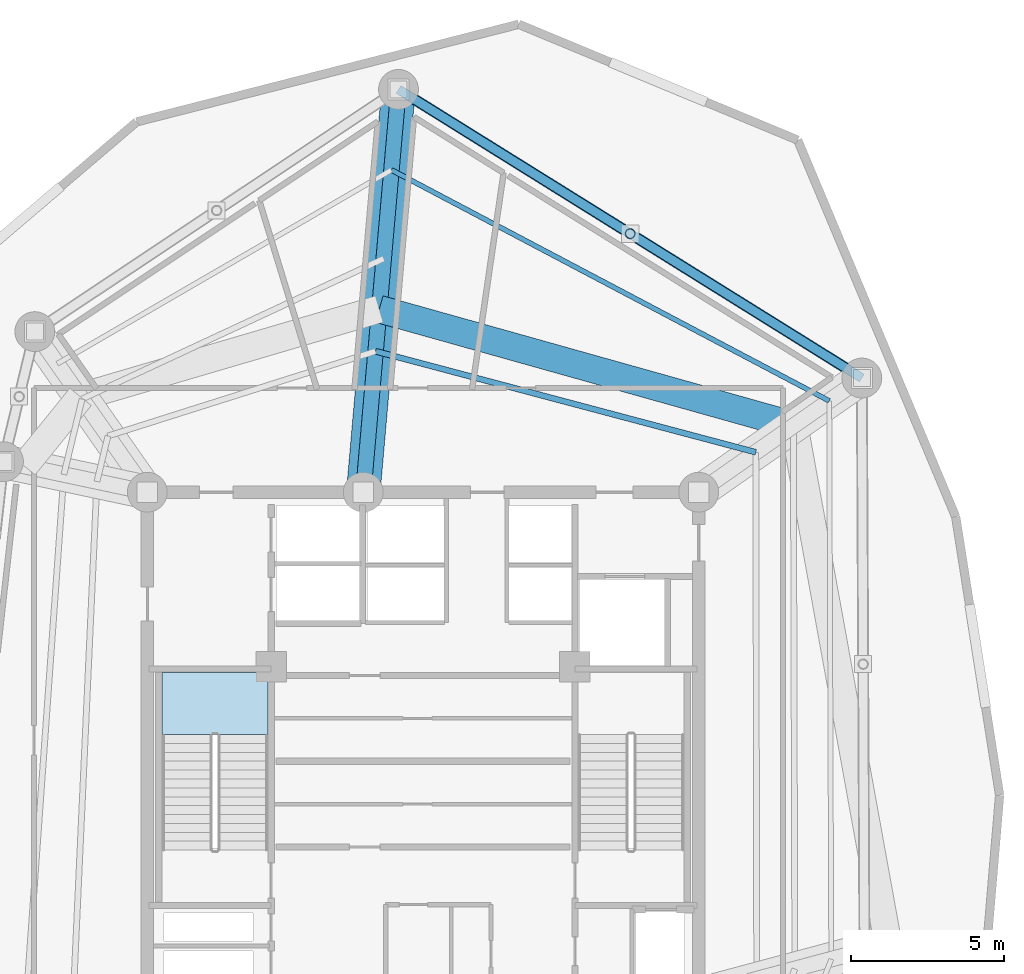
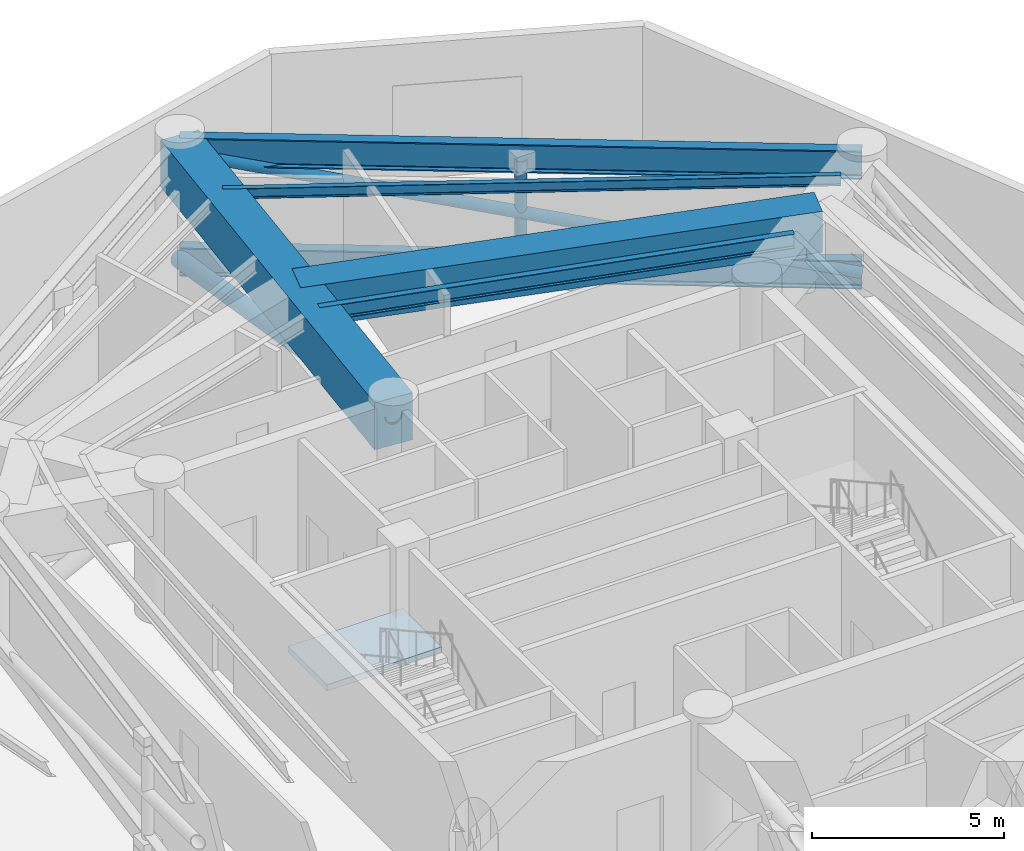
# One storey, part 4 of 11: 5 beams, 4 members, 1 slab, 1 element without a shape of its own.
"""IFC4 building model written with IfcOpenShell, lengths in metres."""

from ifc_helpers import new_model, si_unit, direction, frame, origin, origin_with_axes, origin_2d, place, context, subcontext, project, spatial, polyline, rectangle, hollow_circle, i_section, outline, extrude, source, transform, mapped, material, layer, layer_set, material_profile, profile_set, type_object, element, aggregate, save


model = new_model("IFC4")

# Units and contexts
model_context = context("Model", 3, precision=1e-05, world=origin(), true_north=direction((0.0, 1.0)))
body_context = subcontext(model_context, "Body", "Model", "MODEL_VIEW")
ifc_project = project(units=[si_unit("LENGTHUNIT", "METRE"), si_unit("AREAUNIT", "SQUARE_METRE"), si_unit("VOLUMEUNIT", "CUBIC_METRE"), si_unit("PLANEANGLEUNIT", "RADIAN"), si_unit("MASSUNIT", "GRAM", prefix="KILO")], contexts=[model_context])

# Site, building, storey
site_placement = place(None, origin())
site = spatial("IfcSite", under=ifc_project, at=site_placement, CompositionType="ELEMENT")
building_placement = place(site_placement, origin())
building = spatial("IfcBuilding", under=site, at=building_placement, Name="Karkom Vertical University and Central Library", CompositionType="ELEMENT")
storey_placement = place(building_placement, frame((0.0, 0.0, 208.39990234375)))
storey = spatial("IfcBuildingStorey", under=building, at=storey_placement, Name="P61", CompositionType="ELEMENT", Elevation=208.39990234375)

# Beams
ifc_material_1 = material(Name="Steel S355", Category="steel")
ifc_material_profile_1 = material_profile(ifc_material_1, i_section(OverallWidth=0.18994140625, OverallDepth=0.449951171875, WebThickness=0.009521484375, FlangeThickness=0.0146484375, FilletRadius=0.02099609375, at=origin_2d()), Name="IPE 450")
ifc_profile_set_1 = profile_set([ifc_material_profile_1], Name="Steel S355")
beam_type_1 = type_object("IfcBeamType", Name="STR-BM-SB-IPE450", PredefinedType="BEAM", material=ifc_profile_set_1)
shared_shape_1 = source(origin_with_axes(), body_context, "Body", "SweptSolid", [
    extrude(i_section(OverallWidth=0.18994140625, OverallDepth=0.449951171875, WebThickness=0.009521484375, FlangeThickness=0.0146484375, FilletRadius=0.02099609375, at=origin_2d()), origin(), (0.0, 0.0, 1.0), 12.841552734375),
])
beam_1_placement = place(storey_placement, frame((39.36328125, 36.0048828125, 4.0751953125), z_axis=(-0.96646647674, 0.256792814032, 0.0), x_axis=(-0.256792814032, -0.96646647674, 0.0)))
element("IfcBeam", 1, at=beam_1_placement, inside=storey, type_object=beam_type_1, Name="Plant Level 61 Secondary Composite Floor Beam 1.02", PredefinedType="BEAM", context=body_context, shape_type="MappedRepresentation", body=[
    mapped(shared_shape_1, transform((0.0, 0.0, 0.0), scale=1.0)),
])
ifc_material_profile_2 = material_profile(ifc_material_1, i_section(OverallWidth=0.159912109375, OverallDepth=0.330078125, WebThickness=0.007568359375, FlangeThickness=0.011474609375, FilletRadius=0.01806640625, at=origin_2d()), Name="IPE 330")
ifc_profile_set_2 = profile_set([ifc_material_profile_2], Name="Steel S355")
beam_type_2 = type_object("IfcBeamType", Name="STR-BM-SB-IPE330", PredefinedType="BEAM", material=ifc_profile_set_2)
shared_shape_2 = source(origin_with_axes(), body_context, "Body", "SweptSolid", [
    extrude(i_section(OverallWidth=0.159912109375, OverallDepth=0.330078125, WebThickness=0.007568359375, FlangeThickness=0.011474609375, FilletRadius=0.01806640625, at=origin_2d()), origin(), (0.0, 0.0, 1.0), 16.155517578125),
])
beam_2_placement = place(storey_placement, frame((41.75927734375, 37.682373046875, 4.135009765625), z_axis=(-0.884486447848, 0.466565883423, 0.0), x_axis=(-0.466565883423, -0.884486447848, 0.0)))
element("IfcBeam", 2, at=beam_2_placement, inside=storey, type_object=beam_type_2, Name="Plant Level 61 Secondary Composite Floor Beam 3.02", PredefinedType="BEAM", context=body_context, shape_type="MappedRepresentation", body=[
    mapped(shared_shape_2, transform((0.0, 0.0, 0.0), scale=1.0)),
])
ifc_material_2 = material(Name="Concrete C50/60", Category="concrete")
ifc_material_profile_3 = material_profile(ifc_material_2, rectangle(XDim=1.10009765625, YDim=1.5, at=origin_2d()), Name="TG-1100x1500")
ifc_profile_set_3 = profile_set([ifc_material_profile_3], Name="Concrete C50/60")
beam_type_3 = type_object("IfcBeamType", Name="STR-BM-TG-1", PredefinedType="USERDEFINED", material=ifc_profile_set_3)
shared_shape_3 = source(origin_with_axes(), body_context, "Body", "SweptSolid", [
    extrude(rectangle(XDim=1.10009765625, YDim=1.5, at=origin_2d()), origin(), (0.0, 0.0, 1.0), 13.200439453125),
])
beam_3_placement = place(storey_placement, frame((26.550048828125, 34.699951171875, 3.550048828125), z_axis=(0.087111657164, 0.996198554098, 0.0), x_axis=(-0.996198554098, 0.087111657164, 0.0)))
element("IfcBeam", 3, at=beam_3_placement, inside=storey, type_object=beam_type_3, Name="Plant Level 61 Radial Frame Girder 03", ObjectType="GIRDER", PredefinedType="USERDEFINED", context=body_context, shape_type="MappedRepresentation", body=[
    mapped(shared_shape_3, transform((0.0, 0.0, 0.0), scale=1.0)),
])
ifc_material_3 = material(Name="Steel S460", Category="steel")
ifc_material_profile_4 = material_profile(ifc_material_3, i_section(OverallWidth=0.300048828125, OverallDepth=0.89990234375, WebThickness=0.0185546875, FlangeThickness=0.034912109375, FilletRadius=0.030029296875, at=origin_2d()), Name="HE 900 B")
ifc_profile_set_4 = profile_set([ifc_material_profile_4], Name="Steel S460")
beam_type_4 = type_object("IfcBeamType", Name="STR-BM-SB-HE900", PredefinedType="USERDEFINED", material=ifc_profile_set_4)
shared_shape_4 = source(origin_with_axes(), body_context, "Body", "SweptSolid", [
    extrude(i_section(OverallWidth=0.300048828125, OverallDepth=0.89990234375, WebThickness=0.0185546875, FlangeThickness=0.034912109375, FilletRadius=0.030029296875, at=origin_2d()), origin(), (0.0, 0.0, 1.0), 17.81884765625),
])
beam_4_placement = place(storey_placement, frame((42.823974609375, 38.427978515625, 3.85009765625), z_axis=(-0.848764070164, 0.528771740167, 0.0), x_axis=(-0.528771740167, -0.848764070164, 0.0)))
element("IfcBeam", 4, at=beam_4_placement, inside=storey, type_object=beam_type_4, Name="Plant Level 61 Perimeter Spandrel Beam 02", ObjectType="GIRDER", PredefinedType="USERDEFINED", context=body_context, shape_type="MappedRepresentation", body=[
    mapped(shared_shape_4, transform((0.0, 0.0, 0.0), scale=1.0)),
])
ifc_material_profile_5 = material_profile(ifc_material_2, rectangle(XDim=0.89990234375, YDim=1.300048828125, at=origin_2d()), Name="TG-900x1300")
ifc_profile_set_5 = profile_set([ifc_material_profile_5], Name="Concrete C50/60")
beam_type_5 = type_object("IfcBeamType", Name="STR-BM-TG-3", PredefinedType="USERDEFINED", material=ifc_profile_set_5)
shared_shape_5 = source(origin_with_axes(), body_context, "Body", "SweptSolid", [
    extrude(rectangle(XDim=0.89990234375, YDim=1.300048828125, at=origin_2d()), origin(), (0.0, 0.0, 1.0), 14.0625),
])
beam_5_placement = place(storey_placement, frame((40.613037109375, 36.8798828125, 3.650146484375), z_axis=(-0.962854853531, 0.270019501207, 0.0), x_axis=(-0.270019501207, -0.962854853531, 0.0)))
element("IfcBeam", 5, at=beam_5_placement, inside=storey, type_object=beam_type_5, Name="Plant Level 61 Upper Column Transfer Ring 02", ObjectType="GIRDER", PredefinedType="USERDEFINED", context=body_context, shape_type="MappedRepresentation", body=[
    mapped(shared_shape_5, transform((0.0, 0.0, 0.0), scale=1.0)),
])

# Members
ifc_material_profile_6 = material_profile(ifc_material_1, hollow_circle(Radius=0.161865234375, WallThickness=0.01611328125, at=origin_2d()), Name="CHS 323.9x16")
ifc_profile_set_6 = profile_set([ifc_material_profile_6], Name="Steel S355")
member_type_1 = type_object("IfcMemberType", Name="STR-MEM-PT-1", PredefinedType="POST", material=ifc_profile_set_6)
shared_shape_6 = source(origin_with_axes(), body_context, "Body", "SweptSolid", [
    extrude(hollow_circle(Radius=0.161865234375, WallThickness=0.01611328125, at=origin_2d()), origin(), (0.0, 0.0, 1.0), 3.39990234375),
])
member_1_placement = place(storey_placement, frame((35.261962890625, 43.138916015625, 0.35009765625), z_axis=(0.0, 0.0, 1.0), x_axis=(1.0, 0.0, 0.0)))
element("IfcMember", 6, at=member_1_placement, inside=storey, type_object=member_type_1, Name="Plant Level 61 Belt Truss Web Post 02", PredefinedType="POST", context=body_context, shape_type="MappedRepresentation", body=[
    mapped(shared_shape_6, transform((0.0, 0.0, 0.0), scale=1.0)),
])
ifc_material_profile_7 = material_profile(ifc_material_1, hollow_circle(Radius=0.177734375, WallThickness=0.01611328125, at=origin_2d()), Name="CHS 355.6x16")
ifc_profile_set_7 = profile_set([ifc_material_profile_7], Name="Steel S355")
member_type_2 = type_object("IfcMemberType", Name="STR-MEM-BR-3", PredefinedType="BRACE", material=ifc_profile_set_7)
shared_shape_7 = source(origin_with_axes(), body_context, "Body", "SweptSolid", [
    extrude(hollow_circle(Radius=0.177734375, WallThickness=0.01611328125, at=origin_2d()), origin(), (0.0, 0.0, 1.0), 18.140380859375),
])
member_2_placement = place(storey_placement, frame((42.823974609375, 38.427978515625, 0.35009765625), z_axis=(-0.833723496713, 0.519401609554, 0.187422247937), x_axis=(-0.528771740167, -0.848764070164, 0.0)))
element("IfcMember", 7, at=member_2_placement, inside=storey, type_object=member_type_2, Name="Plant Level 61 Belt Truss Diagonal Brace 02", PredefinedType="BRACE", context=body_context, shape_type="MappedRepresentation", body=[
    mapped(shared_shape_7, transform((0.0, 0.0, 0.0), scale=1.0)),
])
ifc_material_profile_8 = material_profile(ifc_material_3, i_section(OverallWidth=0.300048828125, OverallDepth=0.89990234375, WebThickness=0.0185546875, FlangeThickness=0.034912109375, FilletRadius=0.030029296875, at=origin_2d()), Name="HE 900 B")
ifc_profile_set_8 = profile_set([ifc_material_profile_8], Name="Steel S460")
member_type_3 = type_object("IfcMemberType", Name="STR-MEM-CH-1", PredefinedType="CHORD", material=ifc_profile_set_8)
shared_shape_8 = source(origin_with_axes(), body_context, "Body", "SweptSolid", [
    extrude(i_section(OverallWidth=0.300048828125, OverallDepth=0.89990234375, WebThickness=0.0185546875, FlangeThickness=0.034912109375, FilletRadius=0.030029296875, at=origin_2d()), origin(), (0.0, 0.0, 1.0), 17.81884765625),
])
member_3_placement = place(storey_placement, frame((42.823974609375, 38.427978515625, 0.35009765625), z_axis=(-0.848764070164, 0.528771740167, 0.0), x_axis=(-0.528771740167, -0.848764070164, 0.0)))
element("IfcMember", 8, at=member_3_placement, inside=storey, type_object=member_type_3, Name="Plant Level 61 Belt Truss Bottom Chord 02", PredefinedType="CHORD", context=body_context, shape_type="MappedRepresentation", body=[
    mapped(shared_shape_8, transform((0.0, 0.0, 0.0), scale=1.0)),
])
ifc_material_profile_9 = material_profile(ifc_material_3, hollow_circle(Radius=0.25390625, WallThickness=0.02490234375, at=origin_2d()), Name="CHS 508x25")
ifc_profile_set_9 = profile_set([ifc_material_profile_9], Name="Steel S460")
member_type_4 = type_object("IfcMemberType", Name="STR-MEM-BR-1", PredefinedType="BRACE", material=ifc_profile_set_9)
shared_shape_9 = source(origin_with_axes(), body_context, "Body", "SweptSolid", [
    extrude(hollow_circle(Radius=0.25390625, WallThickness=0.02490234375, at=origin_2d()), origin(), (0.0, 0.0, 1.0), 13.631103515625),
])
member_4_placement = place(storey_placement, frame((26.550048828125, 34.699951171875, 3.75), z_axis=(0.08435848993, 0.964713660957, -0.249421726278), x_axis=(-0.996198554098, 0.087111657164, 0.0)))
element("IfcMember", 9, at=member_4_placement, inside=storey, type_object=member_type_4, Name="Plant Level 61 Outrigger Truss Diagonal 03", PredefinedType="BRACE", context=body_context, shape_type="MappedRepresentation", body=[
    mapped(shared_shape_9, transform((0.0, 0.0, 0.0), scale=1.0)),
])

# Stair, slab
ifc_material_4 = material(Name="Concrete C45/55", Category="concrete")
stair_type = type_object("IfcStairType", Name="INT-STR-ST-MAIN", PredefinedType="HALF_TURN_STAIR", material=ifc_material_4)
stair_placement = place(storey_placement, origin())
stair = element("IfcStair", 10, at=stair_placement, inside=storey, type_object=stair_type, Name="Plant Level 61 Tower Protected Exit Stair ST-1", PredefinedType="HALF_TURN_STAIR")
ifc_layer = layer(ifc_material_4, 0.199951171875)
ifc_layer_set = layer_set([ifc_layer], Name="Concrete C45/55")
slab_type = type_object("IfcSlabType", Name="INT-SLB-LANDING", PredefinedType="LANDING", material=ifc_layer_set)
slab_placement = place(storey_placement, frame((0.0, 0.0, 2.050048828125)))
slab = element("IfcSlab", 11, at=slab_placement, type_object=slab_type, Name="ST-1 landing 1", PredefinedType="LANDING", context=body_context, shape_type="SweptSolid", body=[
    extrude(outline(polyline([(23.43994140625, 26.7900390625), (23.43994140625, 28.820068359375), (19.97998046875, 28.820068359375), (19.97998046875, 26.7900390625), (23.43994140625, 26.7900390625)])), origin(), (0.0, 0.0, 1.0), 0.199951171875),
])
aggregate(stair, [slab])

save(model, "model.ifc")
